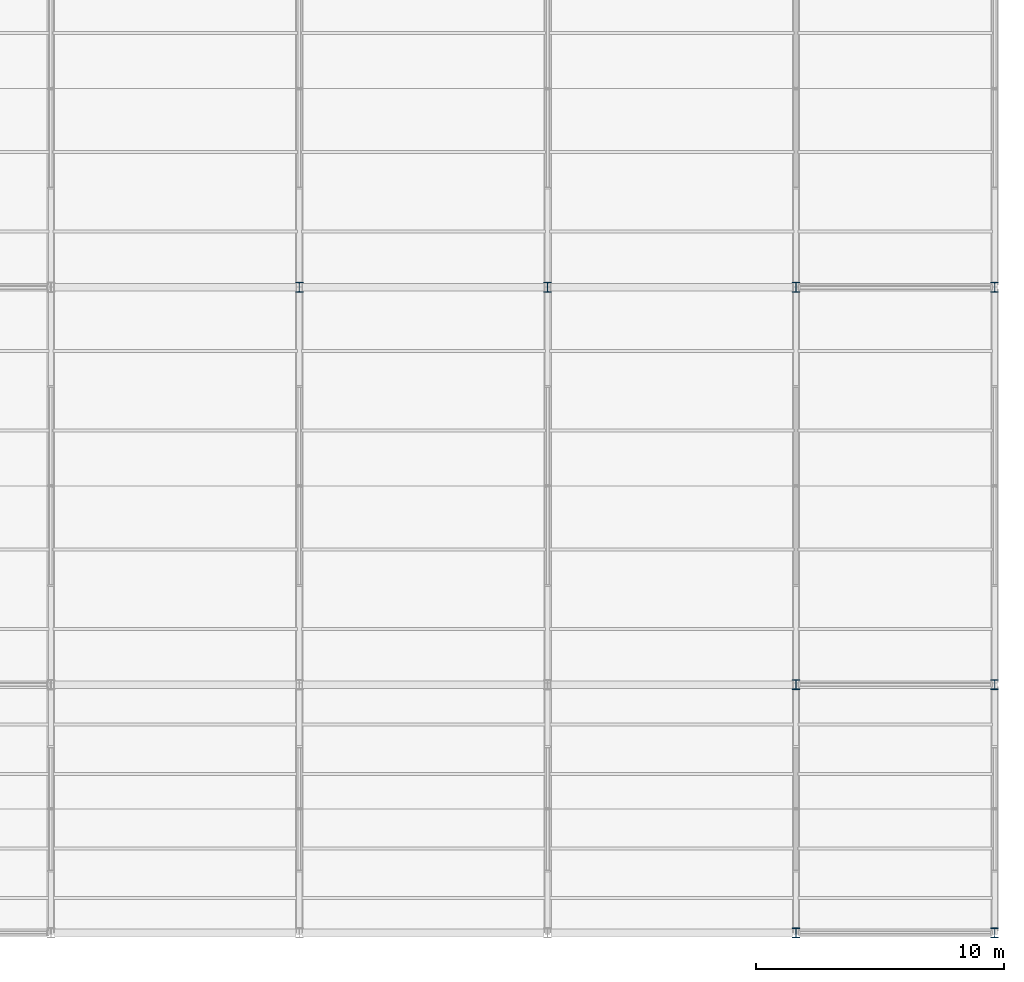
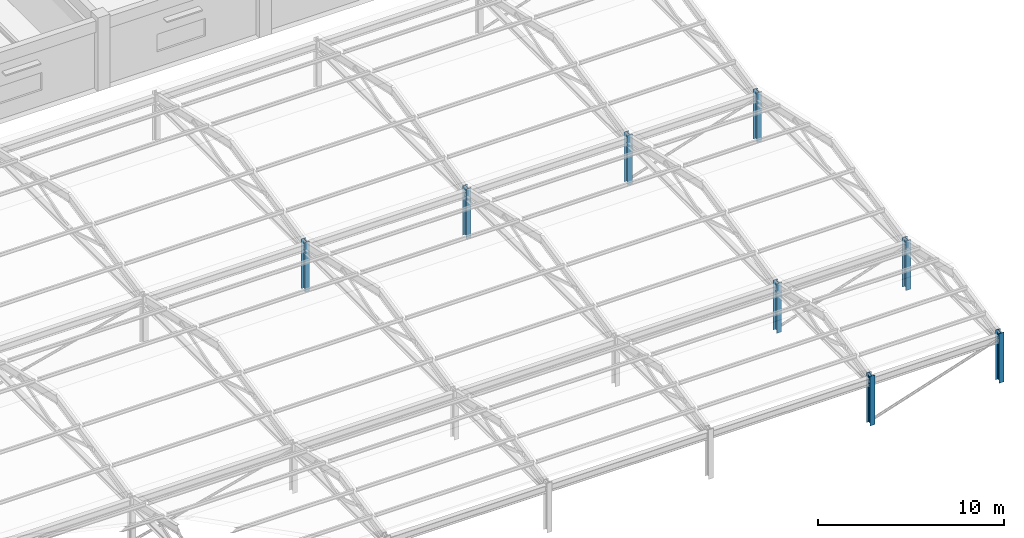
# One storey, part 11 of 109: 8 columns.
"""IFC4 building model written with IfcOpenShell, lengths in metres."""

from ifc_helpers import new_model, si_unit, direction, frame, origin, origin_2d, place, context, subcontext, project, spatial, i_section, extrude, material, material_profile, profile_set, type_object, element, save


model = new_model("IFC4")

# Units and contexts
model_context = context("Model", 3, precision=1e-05, world=origin(), true_north=direction((0.0, 1.0)))
body_context = subcontext(model_context, "Body", "Model", "MODEL_VIEW")
ifc_project = project(units=[si_unit("LENGTHUNIT", "METRE"), si_unit("AREAUNIT", "SQUARE_METRE"), si_unit("VOLUMEUNIT", "CUBIC_METRE"), si_unit("PLANEANGLEUNIT", "RADIAN"), si_unit("MASSUNIT", "GRAM", prefix="KILO")], contexts=[model_context])

# Site, building, storey
site_placement = place(None, origin())
site = spatial("IfcSite", under=ifc_project, at=site_placement, CompositionType="ELEMENT")
building_placement = place(site_placement, origin())
building = spatial("IfcBuilding", under=site, at=building_placement, Name="Kivolera Central Railway Station", CompositionType="ELEMENT")
storey_placement = place(building_placement, frame((0.0, 0.0, 9.60009765625)))
storey = spatial("IfcBuildingStorey", under=building, at=storey_placement, Name="L02", CompositionType="ELEMENT", Elevation=9.60009765625)

# Columns
ifc_material = material(Name="Steel S355", Category="steel")
ifc_material_profile = material_profile(ifc_material, i_section(OverallWidth=0.300048828125, OverallDepth=0.39990234375, WebThickness=0.013427734375, FlangeThickness=0.02392578125, FilletRadius=0.027099609375, at=origin_2d()), Name="HEB 400")
ifc_profile_set = profile_set([ifc_material_profile], Name="Steel S355")
column_type = type_object("IfcColumnType", Name="COL-STL-HEB400", PredefinedType="COLUMN", material=ifc_profile_set)
for number, where, z_axis, x_axis, name in (
    (1, (168.0, 32.0, 0.0), (0.0, 0.0, 1.0), (1.0, 0.0, 0.0), "L02 Train Shed Upper Mast 17-C"),
    (2, (178.0, 32.0, 0.0), (0.0, 0.0, 1.0), (1.0, 0.0, 0.0), "L02 Train Shed Upper Mast 18-C"),
    (3, (188.0, 6.0, 0.0), (0.0, 0.0, 1.0), (1.0, 0.0, 0.0), "L02 Train Shed Upper Mast 19-A"),
    (4, (188.0, 16.0, 0.0), (0.0, 0.0, 1.0), (1.0, 0.0, 0.0), "L02 Train Shed Upper Mast 19-B"),
    (5, (188.0, 32.0, 0.0), (0.0, 0.0, 1.0), (1.0, 0.0, 0.0), "L02 Train Shed Upper Mast 19-C"),
    (6, (196.0, 6.0, 0.0), (0.0, 0.0, 1.0), (1.0, 0.0, 0.0), "L02 Train Shed Upper Mast 20-A"),
    (7, (196.0, 16.0, 0.0), (0.0, 0.0, 1.0), (1.0, 0.0, 0.0), "L02 Train Shed Upper Mast 20-B"),
    (8, (196.0, 32.0, 0.0), (0.0, 0.0, 1.0), (1.0, 0.0, 0.0), "L02 Train Shed Upper Mast 20-C"),
):
    element("IfcColumn", number, at=place(storey_placement, frame(where, z_axis=z_axis, x_axis=x_axis)), inside=storey, type_object=column_type, Name=name, PredefinedType="COLUMN", context=body_context, shape_type="SweptSolid", body=[
        extrude(i_section(OverallWidth=0.300048828125, OverallDepth=0.39990234375, WebThickness=0.013427734375, FlangeThickness=0.02392578125, FilletRadius=0.027099609375, at=origin_2d()), origin(), (0.0, 0.0, 1.0), 3.25),
    ])

save(model, "model.ifc")
